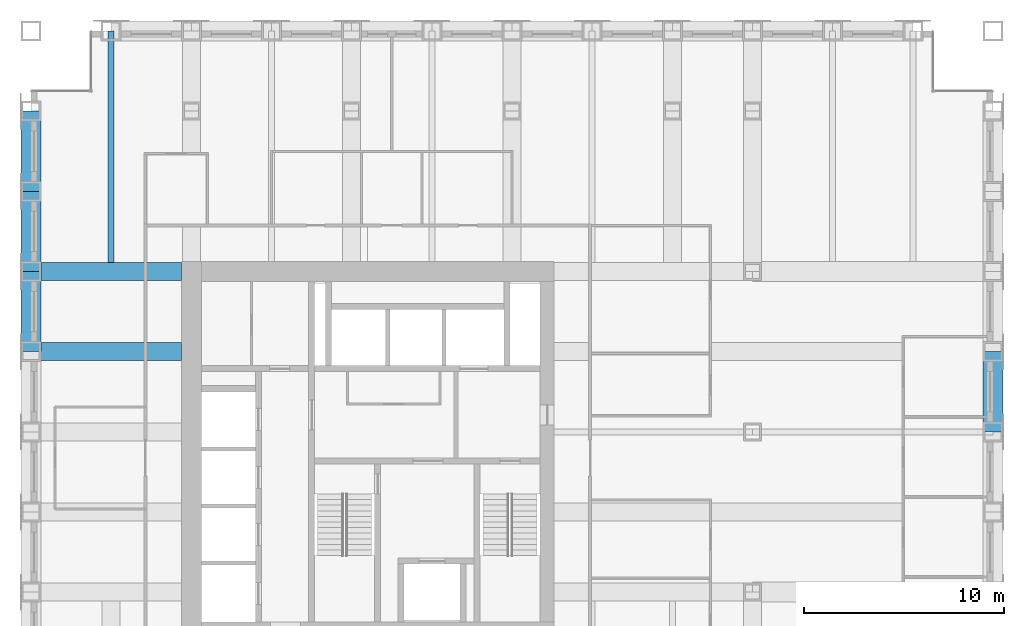
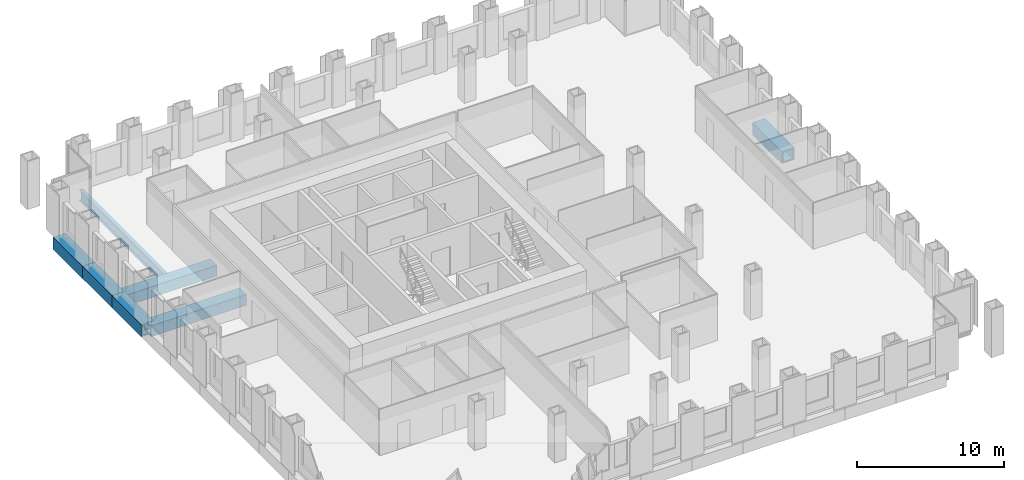
# One storey, part 5 of 16: 7 beams.
"""IFC4 building model written with IfcOpenShell, lengths in metres."""

from ifc_helpers import new_model, si_unit, direction, frame, origin, origin_2d, place, context, subcontext, project, spatial, hollow_rectangle, i_section, extrude, material, material_profile, profile_set, type_object, element, save


model = new_model("IFC4")

# Units and contexts
model_context = context("Model", 3, precision=1e-05, world=origin(), true_north=direction((0.0, 1.0)))
body_context = subcontext(model_context, "Body", "Model", "MODEL_VIEW")
ifc_project = project(units=[si_unit("LENGTHUNIT", "METRE"), si_unit("AREAUNIT", "SQUARE_METRE"), si_unit("VOLUMEUNIT", "CUBIC_METRE"), si_unit("PLANEANGLEUNIT", "RADIAN"), si_unit("MASSUNIT", "GRAM", prefix="KILO")], contexts=[model_context])

# Site, building, storey
site_placement = place(None, origin())
site = spatial("IfcSite", under=ifc_project, at=site_placement, CompositionType="ELEMENT")
building_placement = place(site_placement, origin())
building = spatial("IfcBuilding", under=site, at=building_placement, Name="Rimbunsela Tower", CompositionType="ELEMENT")
storey_placement = place(building_placement, frame((0.0, 0.0, 89.39990234375)))
storey = spatial("IfcBuildingStorey", under=building, at=storey_placement, Name="L21", CompositionType="ELEMENT", Elevation=89.39990234375)

# Beams
ifc_material_1 = material(Name="Steel BJ 55 (fy 410 MPa)", Category="steel")
ifc_material_profile_1 = material_profile(ifc_material_1, hollow_rectangle(XDim=1.0, YDim=1.0, WallThickness=0.10009765625, at=origin_2d()), Name="BOX 1000x1000x100")
ifc_profile_set_1 = profile_set([ifc_material_profile_1], Name="Steel BJ 55 (fy 410 MPa)")
beam_type_1 = type_object("IfcBeamType", Name="Beam BOX 1000x1000x100", PredefinedType="BEAM", material=ifc_profile_set_1)
for number, where, z_axis, x_axis, name in (
    (1, (10.0, 32.0, -0.64990234375), (0.0, 1.0, 0.0), (-1.0, 0.0, 0.0), "Beam B3 L21"),
    (2, (10.0, 36.0, -0.64990234375), (0.0, 1.0, 0.0), (-1.0, 0.0, 0.0), "Beam B3 L21"),
    (3, (10.0, 40.0, -0.64990234375), (0.0, 1.0, 0.0), (-1.0, 0.0, 0.0), "Beam B3 L21"),
    (4, (58.0, 28.0, -0.64990234375), (0.0, 1.0, 0.0), (-1.0, 0.0, 0.0), "Beam B3 L21"),
):
    element("IfcBeam", number, at=place(storey_placement, frame(where, z_axis=z_axis, x_axis=x_axis)), inside=storey, type_object=beam_type_1, Name=name, PredefinedType="BEAM", context=body_context, shape_type="SweptSolid", body=[
        extrude(hollow_rectangle(XDim=1.0, YDim=1.0, WallThickness=0.10009765625, at=origin_2d()), origin(), (0.0, 0.0, 1.0), 4.0),
    ])
ifc_material_2 = material(Name="Steel BJ 55 (fy 410 MPa)", Category="steel")
ifc_material_profile_2 = material_profile(ifc_material_2, hollow_rectangle(XDim=0.89990234375, YDim=0.89990234375, WallThickness=0.06005859375, at=origin_2d()), Name="BOX 900x900x60")
ifc_profile_set_2 = profile_set([ifc_material_profile_2], Name="Steel BJ 55 (fy 410 MPa)")
beam_type_2 = type_object("IfcBeamType", Name="Beam BOX 900x900x60", PredefinedType="BEAM", material=ifc_profile_set_2)
for number, where, z_axis, x_axis, name in (
    (5, (10.0, 32.0, -0.599853515625), (1.0, 0.0, 0.0), (0.0, 1.0, 0.0), "Beam B1 L21"),
    (6, (10.0, 36.0, -0.599853515625), (1.0, 0.0, 0.0), (0.0, 1.0, 0.0), "Beam B1 L21"),
):
    element("IfcBeam", number, at=place(storey_placement, frame(where, z_axis=z_axis, x_axis=x_axis)), inside=storey, type_object=beam_type_2, Name=name, PredefinedType="BEAM", context=body_context, shape_type="SweptSolid", body=[
        extrude(hollow_rectangle(XDim=0.89990234375, YDim=0.89990234375, WallThickness=0.06005859375, at=origin_2d()), origin(), (0.0, 0.0, 1.0), 7.5),
    ])
ifc_material_3 = material(Name="Steel BJ 55 (fy 410 MPa)", Category="steel")
ifc_material_profile_3 = material_profile(ifc_material_3, i_section(OverallWidth=0.300048828125, OverallDepth=0.89990234375, WebThickness=0.01611328125, FlangeThickness=0.028076171875, FilletRadius=0.028076171875, at=origin_2d()), Name="H 900x300x16x28")
ifc_profile_set_3 = profile_set([ifc_material_profile_3], Name="Steel BJ 55 (fy 410 MPa)")
beam_type_3 = type_object("IfcBeamType", Name="Beam H 900x300x16x28", PredefinedType="BEAM", material=ifc_profile_set_3)
beam_placement = place(storey_placement, frame((14.0, 36.449951171875, -0.599853515625), z_axis=(0.0, 1.0, 0.0), x_axis=(-1.0, 0.0, 0.0)))
element("IfcBeam", 7, at=beam_placement, inside=storey, type_object=beam_type_3, Name="Beam B2 L21", PredefinedType="BEAM", context=body_context, shape_type="SweptSolid", body=[
    extrude(i_section(OverallWidth=0.300048828125, OverallDepth=0.89990234375, WebThickness=0.01611328125, FlangeThickness=0.028076171875, FilletRadius=0.028076171875, at=origin_2d()), origin(), (0.0, 0.0, 1.0), 11.550048828125),
])

save(model, "model.ifc")
